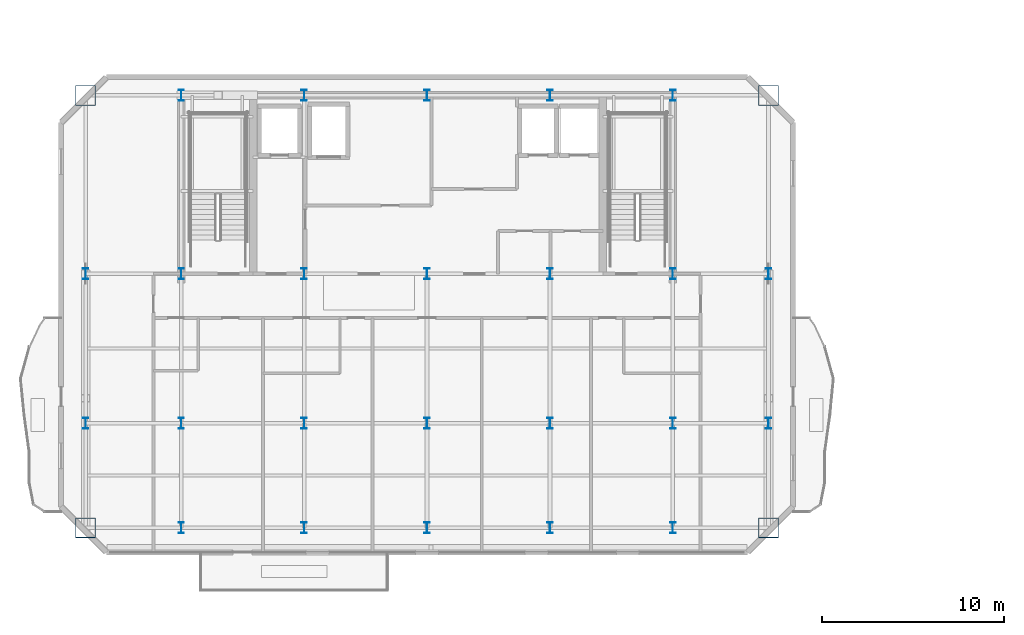
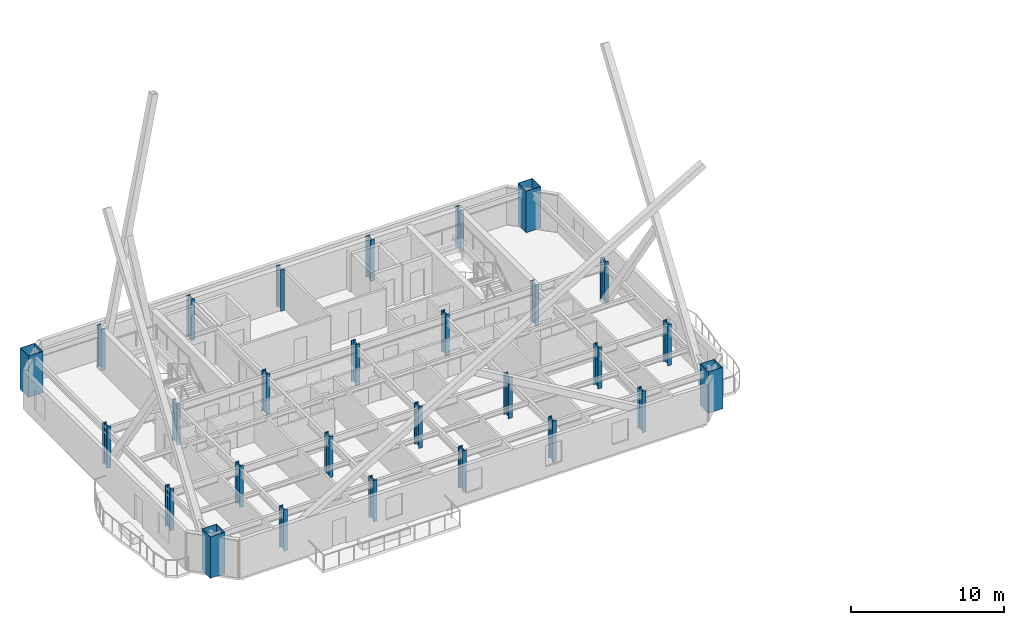
# One storey, part 1 of 19: 28 columns.
"""IFC4 building model written with IfcOpenShell, lengths in metres."""

from ifc_helpers import new_model, si_unit, direction, frame, origin, origin_2d, place, context, subcontext, project, spatial, hollow_rectangle, i_section, extrude, material, material_profile, profile_set, type_object, element, save


model = new_model("IFC4")

# Units and contexts
model_context = context("Model", 3, precision=1e-05, world=origin(), true_north=direction((0.0, 1.0)))
body_context = subcontext(model_context, "Body", "Model", "MODEL_VIEW")
ifc_project = project(units=[si_unit("LENGTHUNIT", "METRE"), si_unit("AREAUNIT", "SQUARE_METRE"), si_unit("VOLUMEUNIT", "CUBIC_METRE"), si_unit("PLANEANGLEUNIT", "RADIAN"), si_unit("MASSUNIT", "GRAM", prefix="KILO")], contexts=[model_context])

# Site, building, storey
site_placement = place(None, origin())
site = spatial("IfcSite", under=ifc_project, at=site_placement, CompositionType="ELEMENT")
building_placement = place(site_placement, origin())
building = spatial("IfcBuilding", under=site, at=building_placement, Name="Haevon Station Towers", CompositionType="ELEMENT")
storey_placement = place(building_placement, frame((0.0, 0.0, 218.699951171875)))
storey = spatial("IfcBuildingStorey", under=building, at=storey_placement, Name="L60", CompositionType="ELEMENT", Elevation=218.699951171875)

# Columns
ifc_material_1 = material(Name="Steel S460", Category="steel")
ifc_material_profile_1 = material_profile(ifc_material_1, hollow_rectangle(XDim=1.10009765625, YDim=1.10009765625, WallThickness=0.031982421875, at=origin_2d()), Name="BOX-1100x1100x32")
ifc_profile_set_1 = profile_set([ifc_material_profile_1], Name="Steel S460")
column_type_1 = type_object("IfcColumnType", Name="COL-MC5", PredefinedType="COLUMN", material=ifc_profile_set_1)
for number, where, z_axis, x_axis, name in (
    (1, (18.75, 24.25, 0.0), (0.0, 0.0, 1.0), (1.0, 0.0, 0.0), "COL-T1-L60-01-01"),
    (2, (18.75, 48.0, 0.0), (0.0, 0.0, 1.0), (1.0, 0.0, 0.0), "COL-T1-L60-01-04"),
    (3, (56.25, 24.25, 0.0), (0.0, 0.0, 1.0), (1.0, 0.0, 0.0), "COL-T1-L60-07-01"),
    (4, (56.25, 48.0, 0.0), (0.0, 0.0, 1.0), (1.0, 0.0, 0.0), "COL-T1-L60-07-04"),
):
    element("IfcColumn", number, at=place(storey_placement, frame(where, z_axis=z_axis, x_axis=x_axis)), inside=storey, type_object=column_type_1, Name=name, PredefinedType="COLUMN", context=body_context, shape_type="SweptSolid", body=[
        extrude(hollow_rectangle(XDim=1.10009765625, YDim=1.10009765625, WallThickness=0.031982421875, at=origin_2d()), origin(), (0.0, 0.0, 1.0), 3.300048828125),
    ])
ifc_material_2 = material(Name="Steel S355", Category="steel")
ifc_material_profile_2 = material_profile(ifc_material_2, i_section(OverallWidth=0.300048828125, OverallDepth=0.60009765625, WebThickness=0.013916015625, FlangeThickness=0.02490234375, at=origin_2d()), Name="H-600x300x14x25")
ifc_profile_set_2 = profile_set([ifc_material_profile_2], Name="Steel S355")
column_type_2 = type_object("IfcColumnType", Name="COL-TW4", PredefinedType="COLUMN", material=ifc_profile_set_2)
for number, where, z_axis, x_axis, name in (
    (5, (18.75, 30.0, 0.0), (0.0, 0.0, 1.0), (1.0, 0.0, 0.0), "COL-T1-L60-01-02"),
    (6, (18.75, 38.199951171875, 0.0), (0.0, 0.0, 1.0), (1.0, 0.0, 0.0), "COL-T1-L60-01-03"),
    (7, (24.0, 24.25, 0.0), (0.0, 0.0, 1.0), (1.0, 0.0, 0.0), "COL-T1-L60-02-01"),
    (8, (24.0, 30.0, 0.0), (0.0, 0.0, 1.0), (1.0, 0.0, 0.0), "COL-T1-L60-02-02"),
    (9, (24.0, 38.199951171875, 0.0), (0.0, 0.0, 1.0), (1.0, 0.0, 0.0), "COL-T1-L60-02-03"),
    (10, (24.0, 48.0, 0.0), (0.0, 0.0, 1.0), (1.0, 0.0, 0.0), "COL-T1-L60-02-04"),
    (11, (30.75, 24.25, 0.0), (0.0, 0.0, 1.0), (1.0, 0.0, 0.0), "COL-T1-L60-03-01"),
    (12, (30.75, 30.0, 0.0), (0.0, 0.0, 1.0), (1.0, 0.0, 0.0), "COL-T1-L60-03-02"),
    (13, (30.75, 38.199951171875, 0.0), (0.0, 0.0, 1.0), (1.0, 0.0, 0.0), "COL-T1-L60-03-03"),
    (14, (30.75, 48.0, 0.0), (0.0, 0.0, 1.0), (1.0, 0.0, 0.0), "COL-T1-L60-03-04"),
    (15, (37.5, 24.25, 0.0), (0.0, 0.0, 1.0), (1.0, 0.0, 0.0), "COL-T1-L60-04-01"),
    (16, (37.5, 30.0, 0.0), (0.0, 0.0, 1.0), (1.0, 0.0, 0.0), "COL-T1-L60-04-02"),
    (17, (37.5, 38.199951171875, 0.0), (0.0, 0.0, 1.0), (1.0, 0.0, 0.0), "COL-T1-L60-04-03"),
    (18, (37.5, 48.0, 0.0), (0.0, 0.0, 1.0), (1.0, 0.0, 0.0), "COL-T1-L60-04-04"),
    (19, (44.25, 24.25, 0.0), (0.0, 0.0, 1.0), (1.0, 0.0, 0.0), "COL-T1-L60-05-01"),
    (20, (44.25, 30.0, 0.0), (0.0, 0.0, 1.0), (1.0, 0.0, 0.0), "COL-T1-L60-05-02"),
    (21, (44.25, 38.199951171875, 0.0), (0.0, 0.0, 1.0), (1.0, 0.0, 0.0), "COL-T1-L60-05-03"),
    (22, (44.25, 48.0, 0.0), (0.0, 0.0, 1.0), (1.0, 0.0, 0.0), "COL-T1-L60-05-04"),
    (23, (51.0, 24.25, 0.0), (0.0, 0.0, 1.0), (1.0, 0.0, 0.0), "COL-T1-L60-06-01"),
    (24, (51.0, 30.0, 0.0), (0.0, 0.0, 1.0), (1.0, 0.0, 0.0), "COL-T1-L60-06-02"),
    (25, (51.0, 38.199951171875, 0.0), (0.0, 0.0, 1.0), (1.0, 0.0, 0.0), "COL-T1-L60-06-03"),
    (26, (51.0, 48.0, 0.0), (0.0, 0.0, 1.0), (1.0, 0.0, 0.0), "COL-T1-L60-06-04"),
    (27, (56.25, 30.0, 0.0), (0.0, 0.0, 1.0), (1.0, 0.0, 0.0), "COL-T1-L60-07-02"),
    (28, (56.25, 38.199951171875, 0.0), (0.0, 0.0, 1.0), (1.0, 0.0, 0.0), "COL-T1-L60-07-03"),
):
    element("IfcColumn", number, at=place(storey_placement, frame(where, z_axis=z_axis, x_axis=x_axis)), inside=storey, type_object=column_type_2, Name=name, PredefinedType="COLUMN", context=body_context, shape_type="SweptSolid", body=[
        extrude(i_section(OverallWidth=0.300048828125, OverallDepth=0.60009765625, WebThickness=0.013916015625, FlangeThickness=0.02490234375, at=origin_2d()), origin(), (0.0, 0.0, 1.0), 3.300048828125),
    ])

save(model, "model.ifc")
